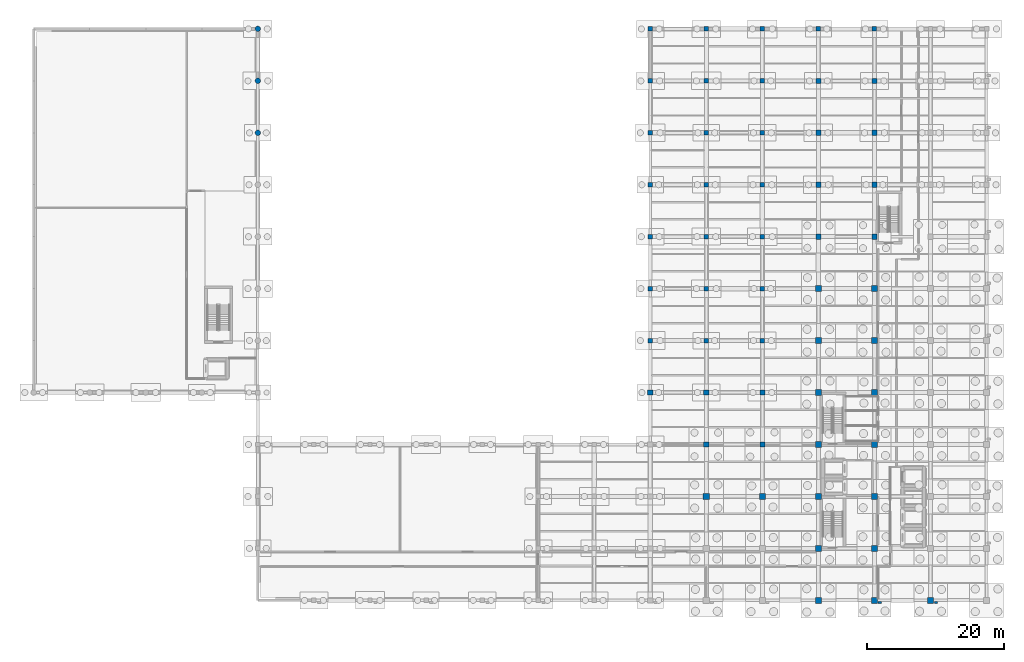
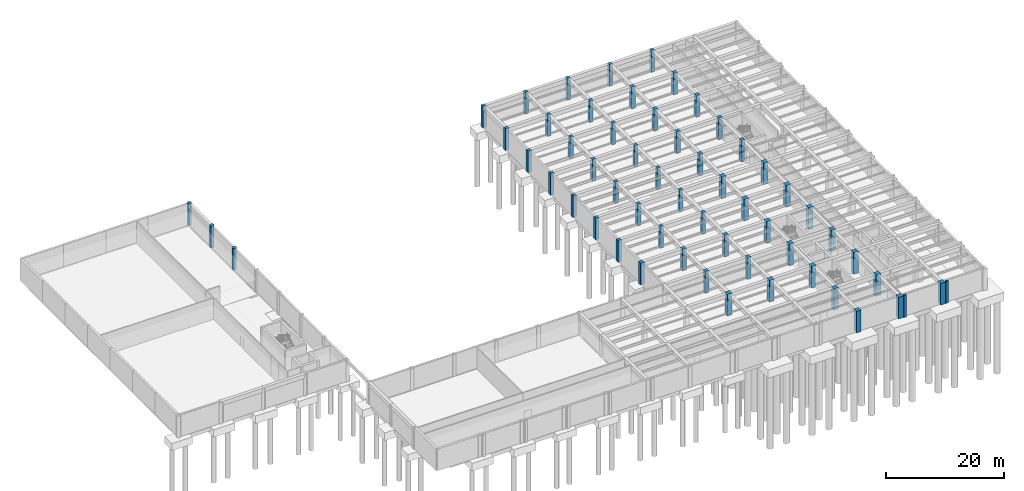
# One storey, part 10 of 29: 58 columns.
"""IFC4 building model written with IfcOpenShell, lengths in metres."""

from ifc_helpers import new_model, si_unit, direction, frame, origin, origin_2d, place, context, subcontext, project, spatial, rectangle, circle, extrude, material, material_profile, profile_set, type_object, element, save


model = new_model("IFC4")

# Units and contexts
model_context = context("Model", 3, precision=1e-05, world=origin(), true_north=direction((0.0, 1.0)))
body_context = subcontext(model_context, "Body", "Model", "MODEL_VIEW")
ifc_project = project(units=[si_unit("LENGTHUNIT", "METRE"), si_unit("AREAUNIT", "SQUARE_METRE"), si_unit("VOLUMEUNIT", "CUBIC_METRE"), si_unit("PLANEANGLEUNIT", "RADIAN"), si_unit("MASSUNIT", "GRAM", prefix="KILO")], contexts=[model_context])

# Site, building, storey
site_placement = place(None, origin())
site = spatial("IfcSite", under=ifc_project, at=site_placement, CompositionType="ELEMENT")
building_placement = place(site_placement, origin())
building = spatial("IfcBuilding", under=site, at=building_placement, Name="Qandaris Square Conservatory and Botanical Centre", CompositionType="ELEMENT")
storey_placement = place(building_placement, frame((0.0, 0.0, -4.800048828125)))
storey = spatial("IfcBuildingStorey", under=building, at=storey_placement, Name="B1", CompositionType="ELEMENT", Elevation=-4.800048828125)

# Columns
ifc_material = material(Name="Concrete C50/60", Category="concrete")
ifc_material_profile_1 = material_profile(ifc_material, circle(Radius=0.39990234375, at=origin_2d()), Name="RC-COL D800")
ifc_profile_set_1 = profile_set([ifc_material_profile_1], Name="Concrete C50/60")
column_type_1 = type_object("IfcColumnType", Name="Conservatory Ring Pier D800", PredefinedType="COLUMN", material=ifc_profile_set_1)
for number, where, z_axis, x_axis, name in (
    (1, (57.199951171875, 85.0, 0.0), (0.0, 0.0, 1.0), (1.0, 0.0, 0.0), "Column L7 (B1)"),
    (2, (57.199951171875, 92.60009765625, 0.0), (0.0, 0.0, 1.0), (1.0, 0.0, 0.0), "Column M7 (B1)"),
    (3, (57.199951171875, 100.199951171875, 0.0), (0.0, 0.0, 1.0), (1.0, 0.0, 0.0), "Column N7 (B1)"),
):
    element("IfcColumn", number, at=place(storey_placement, frame(where, z_axis=z_axis, x_axis=x_axis)), inside=storey, type_object=column_type_1, Name=name, PredefinedType="COLUMN", context=body_context, shape_type="SweptSolid", body=[
        extrude(circle(Radius=0.39990234375, at=origin_2d()), origin(), (0.0, 0.0, 1.0), 4.4599609375),
    ])
ifc_material_profile_2 = material_profile(ifc_material, rectangle(XDim=0.449951171875, YDim=0.300048828125, at=origin_2d()), Name="RC-PIL 450x300")
ifc_profile_set_2 = profile_set([ifc_material_profile_2], Name="Concrete C50/60")
column_type_2 = type_object("IfcColumnType", Name="Engaged Prairie Pilaster 450x300", PredefinedType="PILASTER", material=ifc_profile_set_2)
column_1_placement = place(storey_placement, frame((156.3798828125, 16.280029296875, 0.0), z_axis=(0.0, 0.0, 1.0), x_axis=(1.0, 0.0, 0.0)))
element("IfcColumn", 4, at=column_1_placement, inside=storey, type_object=column_type_2, Name="Prairie Pilaster 10 (B1)", PredefinedType="PILASTER", context=body_context, shape_type="SweptSolid", body=[
    extrude(rectangle(XDim=0.449951171875, YDim=0.300048828125, at=origin_2d()), origin(), (0.0, 0.0, 1.0), 4.56494140625),
])
ifc_material_profile_3 = material_profile(ifc_material, rectangle(XDim=0.5, YDim=0.35009765625, at=origin_2d()), Name="RC-PIL 500x350")
ifc_profile_set_3 = profile_set([ifc_material_profile_3], Name="Concrete C50/60")
column_type_3 = type_object("IfcColumnType", Name="Engaged Prairie Pilaster 500x350", PredefinedType="PILASTER", material=ifc_profile_set_3)
column_2_placement = place(storey_placement, frame((148.179931640625, 16.280029296875, 0.0), z_axis=(0.0, 0.0, 1.0), x_axis=(1.0, 0.0, 0.0)))
element("IfcColumn", 5, at=column_2_placement, inside=storey, type_object=column_type_3, Name="Prairie Pilaster 09 (B1)", PredefinedType="PILASTER", context=body_context, shape_type="SweptSolid", body=[
    extrude(rectangle(XDim=0.5, YDim=0.35009765625, at=origin_2d()), origin(), (0.0, 0.0, 1.0), 4.56494140625),
])
ifc_material_profile_4 = material_profile(ifc_material, rectangle(XDim=0.64990234375, YDim=0.64990234375, at=origin_2d()), Name="RC-COL 650x650")
ifc_profile_set_4 = profile_set([ifc_material_profile_4], Name="Concrete C50/60")
column_type_4 = type_object("IfcColumnType", Name="RC Column 650x650", PredefinedType="COLUMN", material=ifc_profile_set_4)
for number, where, z_axis, x_axis, name in (
    (6, (114.60009765625, 54.60009765625, 0.0), (0.0, 0.0, 1.0), (1.0, 0.0, 0.0), "Column G14 (B1)"),
    (7, (114.60009765625, 62.199951171875, 0.0), (0.0, 0.0, 1.0), (1.0, 0.0, 0.0), "Column H14 (B1)"),
    (8, (114.60009765625, 69.800048828125, 0.0), (0.0, 0.0, 1.0), (1.0, 0.0, 0.0), "Column J14 (B1)"),
    (9, (114.60009765625, 77.39990234375, 0.0), (0.0, 0.0, 1.0), (1.0, 0.0, 0.0), "Column K14 (B1)"),
    (10, (114.60009765625, 85.0, 0.0), (0.0, 0.0, 1.0), (1.0, 0.0, 0.0), "Column L14 (B1)"),
    (11, (114.60009765625, 92.60009765625, 0.0), (0.0, 0.0, 1.0), (1.0, 0.0, 0.0), "Column M14 (B1)"),
    (12, (114.60009765625, 100.199951171875, 0.0), (0.0, 0.0, 1.0), (1.0, 0.0, 0.0), "Column N14 (B1)"),
    (13, (122.800048828125, 54.60009765625, 0.0), (0.0, 0.0, 1.0), (1.0, 0.0, 0.0), "Column G15 (B1)"),
    (14, (122.800048828125, 62.199951171875, 0.0), (0.0, 0.0, 1.0), (1.0, 0.0, 0.0), "Column H15 (B1)"),
    (15, (122.800048828125, 69.800048828125, 0.0), (0.0, 0.0, 1.0), (1.0, 0.0, 0.0), "Column J15 (B1)"),
    (16, (122.800048828125, 77.39990234375, 0.0), (0.0, 0.0, 1.0), (1.0, 0.0, 0.0), "Column K15 (B1)"),
    (17, (122.800048828125, 85.0, 0.0), (0.0, 0.0, 1.0), (1.0, 0.0, 0.0), "Column L15 (B1)"),
    (18, (122.800048828125, 92.60009765625, 0.0), (0.0, 0.0, 1.0), (1.0, 0.0, 0.0), "Column M15 (B1)"),
    (19, (122.800048828125, 100.199951171875, 0.0), (0.0, 0.0, 1.0), (1.0, 0.0, 0.0), "Column N15 (B1)"),
    (20, (131.0, 54.60009765625, 0.0), (0.0, 0.0, 1.0), (1.0, 0.0, 0.0), "Column G16 (B1)"),
    (21, (131.0, 62.199951171875, 0.0), (0.0, 0.0, 1.0), (1.0, 0.0, 0.0), "Column H16 (B1)"),
    (22, (131.0, 69.800048828125, 0.0), (0.0, 0.0, 1.0), (1.0, 0.0, 0.0), "Column J16 (B1)"),
    (23, (131.0, 77.39990234375, 0.0), (0.0, 0.0, 1.0), (1.0, 0.0, 0.0), "Column K16 (B1)"),
    (24, (131.0, 85.0, 0.0), (0.0, 0.0, 1.0), (1.0, 0.0, 0.0), "Column L16 (B1)"),
    (25, (131.0, 92.60009765625, 0.0), (0.0, 0.0, 1.0), (1.0, 0.0, 0.0), "Column M16 (B1)"),
    (26, (131.0, 100.199951171875, 0.0), (0.0, 0.0, 1.0), (1.0, 0.0, 0.0), "Column N16 (B1)"),
    (27, (139.199951171875, 100.199951171875, 0.0), (0.0, 0.0, 1.0), (1.0, 0.0, 0.0), "Column N17 (B1)"),
    (28, (147.39990234375, 100.199951171875, 0.0), (0.0, 0.0, 1.0), (1.0, 0.0, 0.0), "Column N18 (B1)"),
):
    element("IfcColumn", number, at=place(storey_placement, frame(where, z_axis=z_axis, x_axis=x_axis)), inside=storey, type_object=column_type_4, Name=name, PredefinedType="COLUMN", context=body_context, shape_type="SweptSolid", body=[
        extrude(rectangle(XDim=0.64990234375, YDim=0.64990234375, at=origin_2d()), origin(), (0.0, 0.0, 1.0), 4.4599609375),
    ])
ifc_material_profile_5 = material_profile(ifc_material, rectangle(XDim=0.75, YDim=0.75, at=origin_2d()), Name="RC-COL 750x750")
ifc_profile_set_5 = profile_set([ifc_material_profile_5], Name="Concrete C50/60")
column_type_5 = type_object("IfcColumnType", Name="RC Column 750x750", PredefinedType="COLUMN", material=ifc_profile_set_5)
for number, where, z_axis, x_axis, name in (
    (29, (114.60009765625, 47.0, 0.0), (0.0, 0.0, 1.0), (1.0, 0.0, 0.0), "Column F14 (B1)"),
    (30, (122.800048828125, 39.39990234375, 0.0), (0.0, 0.0, 1.0), (1.0, 0.0, 0.0), "Column E15 (B1)"),
    (31, (122.800048828125, 47.0, 0.0), (0.0, 0.0, 1.0), (1.0, 0.0, 0.0), "Column F15 (B1)"),
    (32, (131.0, 39.39990234375, 0.0), (0.0, 0.0, 1.0), (1.0, 0.0, 0.0), "Column E16 (B1)"),
    (33, (131.0, 47.0, 0.0), (0.0, 0.0, 1.0), (1.0, 0.0, 0.0), "Column F16 (B1)"),
    (34, (139.199951171875, 69.800048828125, 0.0), (0.0, 0.0, 1.0), (1.0, 0.0, 0.0), "Column J17 (B1)"),
    (35, (139.199951171875, 77.39990234375, 0.0), (0.0, 0.0, 1.0), (1.0, 0.0, 0.0), "Column K17 (B1)"),
    (36, (139.199951171875, 85.0, 0.0), (0.0, 0.0, 1.0), (1.0, 0.0, 0.0), "Column L17 (B1)"),
    (37, (139.199951171875, 92.60009765625, 0.0), (0.0, 0.0, 1.0), (1.0, 0.0, 0.0), "Column M17 (B1)"),
    (38, (147.39990234375, 69.800048828125, 0.0), (0.0, 0.0, 1.0), (1.0, 0.0, 0.0), "Column J18 (B1)"),
    (39, (147.39990234375, 77.39990234375, 0.0), (0.0, 0.0, 1.0), (1.0, 0.0, 0.0), "Column K18 (B1)"),
    (40, (147.39990234375, 85.0, 0.0), (0.0, 0.0, 1.0), (1.0, 0.0, 0.0), "Column L18 (B1)"),
    (41, (147.39990234375, 92.60009765625, 0.0), (0.0, 0.0, 1.0), (1.0, 0.0, 0.0), "Column M18 (B1)"),
):
    element("IfcColumn", number, at=place(storey_placement, frame(where, z_axis=z_axis, x_axis=x_axis)), inside=storey, type_object=column_type_5, Name=name, PredefinedType="COLUMN", context=body_context, shape_type="SweptSolid", body=[
        extrude(rectangle(XDim=0.75, YDim=0.75, at=origin_2d()), origin(), (0.0, 0.0, 1.0), 4.4599609375),
    ])
ifc_material_profile_6 = material_profile(ifc_material, rectangle(XDim=0.89990234375, YDim=0.89990234375, at=origin_2d()), Name="RC-COL 900x900")
ifc_profile_set_6 = profile_set([ifc_material_profile_6], Name="Concrete C50/60")
column_type_6 = type_object("IfcColumnType", Name="RC Column 900x900", PredefinedType="COLUMN", material=ifc_profile_set_6)
for number, where, z_axis, x_axis, name in (
    (42, (122.800048828125, 31.800048828125, 0.0), (0.0, 0.0, 1.0), (1.0, 0.0, 0.0), "Column D15 (B1)"),
    (43, (131.0, 31.800048828125, 0.0), (0.0, 0.0, 1.0), (1.0, 0.0, 0.0), "Column D16 (B1)"),
    (44, (139.199951171875, 16.60009765625, 0.0), (0.0, 0.0, 1.0), (1.0, 0.0, 0.0), "Column B17 (B1)"),
    (45, (139.199951171875, 24.199951171875, 0.0), (0.0, 0.0, 1.0), (1.0, 0.0, 0.0), "Column C17 (B1)"),
    (46, (139.199951171875, 31.800048828125, 0.0), (0.0, 0.0, 1.0), (1.0, 0.0, 0.0), "Column D17 (B1)"),
    (47, (139.199951171875, 39.39990234375, 0.0), (0.0, 0.0, 1.0), (1.0, 0.0, 0.0), "Column E17 (B1)"),
    (48, (139.199951171875, 47.0, 0.0), (0.0, 0.0, 1.0), (1.0, 0.0, 0.0), "Column F17 (B1)"),
    (49, (139.199951171875, 54.60009765625, 0.0), (0.0, 0.0, 1.0), (1.0, 0.0, 0.0), "Column G17 (B1)"),
    (50, (139.199951171875, 62.199951171875, 0.0), (0.0, 0.0, 1.0), (1.0, 0.0, 0.0), "Column H17 (B1)"),
    (51, (147.39990234375, 16.60009765625, 0.0), (0.0, 0.0, 1.0), (1.0, 0.0, 0.0), "Column B18 (B1)"),
    (52, (147.39990234375, 24.199951171875, 0.0), (0.0, 0.0, 1.0), (1.0, 0.0, 0.0), "Column C18 (B1)"),
    (53, (147.39990234375, 31.800048828125, 0.0), (0.0, 0.0, 1.0), (1.0, 0.0, 0.0), "Column D18 (B1)"),
    (54, (147.39990234375, 39.39990234375, 0.0), (0.0, 0.0, 1.0), (1.0, 0.0, 0.0), "Column E18 (B1)"),
    (55, (147.39990234375, 47.0, 0.0), (0.0, 0.0, 1.0), (1.0, 0.0, 0.0), "Column F18 (B1)"),
    (56, (147.39990234375, 54.60009765625, 0.0), (0.0, 0.0, 1.0), (1.0, 0.0, 0.0), "Column G18 (B1)"),
    (57, (147.39990234375, 62.199951171875, 0.0), (0.0, 0.0, 1.0), (1.0, 0.0, 0.0), "Column H18 (B1)"),
    (58, (155.60009765625, 16.60009765625, 0.0), (0.0, 0.0, 1.0), (1.0, 0.0, 0.0), "Column B19 (B1)"),
):
    element("IfcColumn", number, at=place(storey_placement, frame(where, z_axis=z_axis, x_axis=x_axis)), inside=storey, type_object=column_type_6, Name=name, PredefinedType="COLUMN", context=body_context, shape_type="SweptSolid", body=[
        extrude(rectangle(XDim=0.89990234375, YDim=0.89990234375, at=origin_2d()), origin(), (0.0, 0.0, 1.0), 4.4599609375),
    ])

save(model, "model.ifc")
